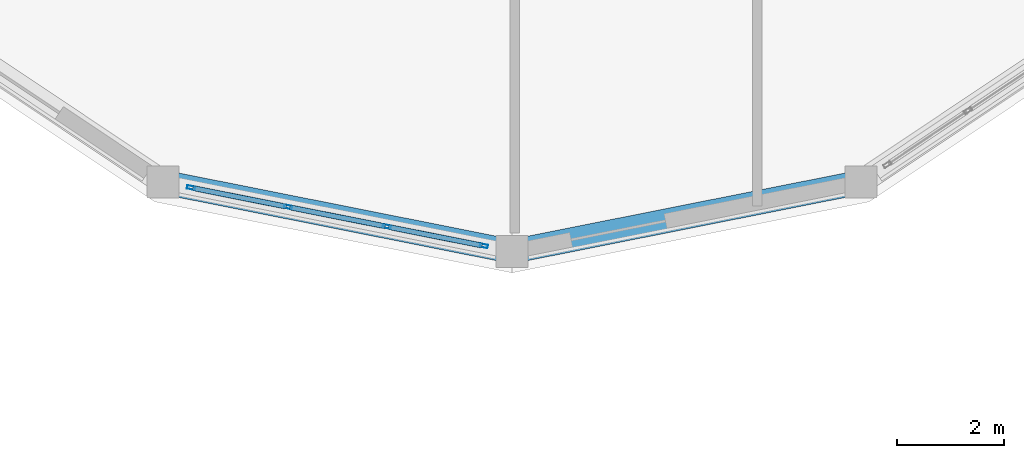
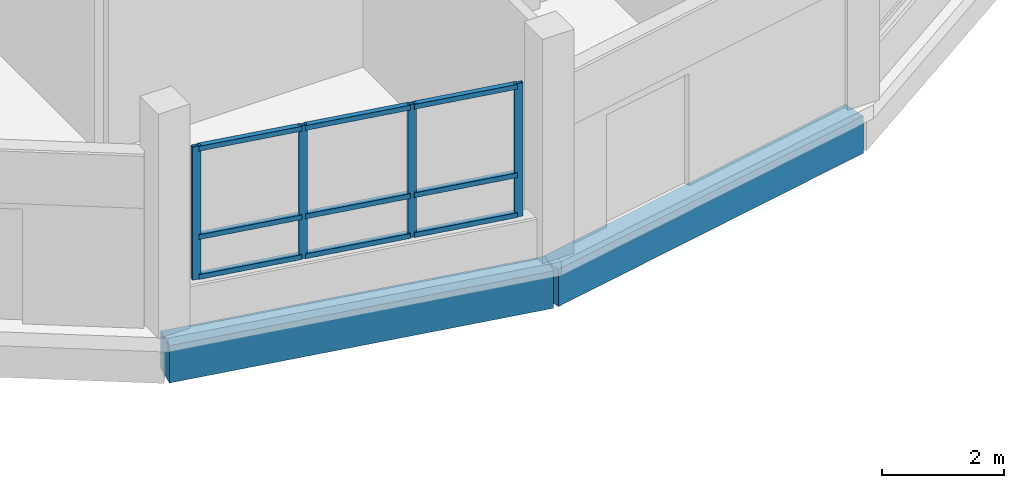
# One storey, part 65 of 129: 13 members, 2 beams, 1 element without a shape of its own.
"""IFC4 building model written with IfcOpenShell, lengths in metres."""

import ifcopenshell
import ifcopenshell.guid

model = None  # the IFC model being written
_history = None  # IfcOwnerHistory: only IFC2X3 demands one
_inside = {}  # id of a spatial element -> (the spatial element, [elements in it])
_under = {}  # id of a project, library or spatial element -> (it, [spatial elements below it])
_declared = {}  # id of a project -> (the project, [libraries it declares])
_typed = {}  # id of a type object -> (the type object, [elements of that type])
_made_of = {}  # id of a material, layer set ... -> (it, [elements and type objects made of it])


def new_model(schema):
    """Start an empty IFC model of exactly this schema.

    Asked for "IFC4X3", IfcOpenShell would pick the latest addendum, in which some entities
    have other attributes; the version numbers below select the first issue.
    IFC2X3 requires an IfcOwnerHistory on every rooted entity: one is made here for all.
    """
    global model, _history
    if schema == "IFC4X3":
        model = ifcopenshell.file(schema_version=(4, 3, 0, 0))
    else:
        model = ifcopenshell.file(schema=schema)
    _inside.clear()
    _under.clear()
    _declared.clear()
    _typed.clear()
    _made_of.clear()
    _history = None
    if model.schema == "IFC2X3":
        org = make("IfcOrganization", Name="unknown")
        user = make(
            "IfcPersonAndOrganization",
            ThePerson=make("IfcPerson", FamilyName="unknown"),
            TheOrganization=org,
        )
        app = make(
            "IfcApplication",
            ApplicationDeveloper=org,
            Version="unknown",
            ApplicationFullName="unknown",
            ApplicationIdentifier="unknown",
        )
        _history = make(
            "IfcOwnerHistory",
            OwningUser=user,
            OwningApplication=app,
            ChangeAction="ADDED",
            CreationDate=0,
        )
    return model


def make(cls, **values):
    """One entity of the class cls with the attributes given. An attribute that is None is left unset."""
    return model.create_entity(
        cls, **{name: value for name, value in values.items() if value is not None}
    )


def rooted(cls, **values):
    """An entity with a GlobalId (a new one), such as an element, a storey or a relation."""
    return make(cls, GlobalId=ifcopenshell.guid.new(), OwnerHistory=_history, **values)


def si_unit(unit_type, name, prefix=None):
    """IfcSIUnit, for example si_unit("LENGTHUNIT", "METRE", prefix="MILLI")."""
    return make("IfcSIUnit", UnitType=unit_type, Prefix=prefix, Name=name)


def assignment(units):
    """IfcUnitAssignment: the units of a project."""
    return None if units is None else make("IfcUnitAssignment", Units=units)


def point(xyz):
    """IfcCartesianPoint."""
    return None if xyz is None else make("IfcCartesianPoint", Coordinates=xyz)


def direction(xyz):
    """IfcDirection."""
    return None if xyz is None else make("IfcDirection", DirectionRatios=xyz)


def frame(location, z_axis=None, x_axis=None):
    """IfcAxis2Placement3D, a coordinate frame: its origin and axes. An axis left out is left unset."""
    return make(
        "IfcAxis2Placement3D",
        Location=point(location),
        Axis=direction(z_axis),
        RefDirection=direction(x_axis),
    )


def frame_2d(location, x_axis=None):
    """IfcAxis2Placement2D, a coordinate frame in the plane: its origin and x axis."""
    return make(
        "IfcAxis2Placement2D", Location=point(location), RefDirection=direction(x_axis)
    )


def origin():
    """The frame at (0, 0, 0) with its axes left unset."""
    return frame((0.0, 0.0, 0.0))


def origin_2d():
    """The frame at (0, 0) in the plane with its x axis left unset."""
    return frame_2d((0.0, 0.0))


def place(relative_to, where):
    """IfcLocalPlacement: puts the frame where relative to a parent placement (None: the world)."""
    return make(
        "IfcLocalPlacement", PlacementRelTo=relative_to, RelativePlacement=where
    )


def context(
    kind, dimensions, precision=None, world=None, true_north=None, identifier=None
):
    """IfcGeometricRepresentationContext, for example the 3D "Model" context."""
    return make(
        "IfcGeometricRepresentationContext",
        ContextIdentifier=identifier,
        ContextType=kind,
        CoordinateSpaceDimension=dimensions,
        Precision=precision,
        WorldCoordinateSystem=world,
        TrueNorth=true_north,
    )


def subcontext(parent, identifier, kind, view, scale=None):
    """IfcGeometricRepresentationSubContext, for example "Body" below "Model"."""
    return make(
        "IfcGeometricRepresentationSubContext",
        ContextIdentifier=identifier,
        ContextType=kind,
        ParentContext=parent,
        TargetScale=scale,
        TargetView=view,
    )


def project(units=None, contexts=None):
    """IfcProject with its units and contexts."""
    return rooted(
        "IfcProject",
        Name="project",
        RepresentationContexts=contexts,
        UnitsInContext=assignment(units),
    )


def spatial(cls, under=None, at=None, **own):
    """A site, building, storey or space (cls), placed at a placement, below another one or the project."""
    s = rooted(cls, ObjectPlacement=at, **own)
    if under is not None:
        _under.setdefault(under.id(), (under, []))[1].append(s)
    return s


def profile(cls, at=None, kind="AREA", **sizes):
    """A parametric profile (cls). Its sizes go by their IFC names, for example OverallWidth=200.0."""
    return make(cls, ProfileType=kind, Position=at, **sizes)


def rectangle(**sizes):
    """IfcRectangleProfileDef."""
    return profile("IfcRectangleProfileDef", **sizes)


def hollow_rectangle(**sizes):
    """IfcRectangleHollowProfileDef."""
    return profile("IfcRectangleHollowProfileDef", **sizes)


def extrude(swept, where, along, depth):
    """IfcExtrudedAreaSolid: the profile swept, set in the frame where, extruded along a direction by depth."""
    return make(
        "IfcExtrudedAreaSolid",
        SweptArea=swept,
        Position=where,
        ExtrudedDirection=direction(along),
        Depth=depth,
    )


def shape(context_of_items, identifier, shape_type, items):
    """IfcShapeRepresentation: the items that make up one representation, for example the "Body"."""
    return make(
        "IfcShapeRepresentation",
        ContextOfItems=context_of_items,
        RepresentationIdentifier=identifier,
        RepresentationType=shape_type,
        Items=items,
    )


def material(Name=None, Category=None):
    """IfcMaterial."""
    return make("IfcMaterial", Name=Name, Category=Category)


def layer(
    of_material, thickness, ventilated=None, Name=None, Category=None, Priority=None
):
    """IfcMaterialLayer: one layer of a wall or slab, of a material (None: an air gap)."""
    return make(
        "IfcMaterialLayer",
        Material=of_material,
        LayerThickness=thickness,
        IsVentilated=ventilated,
        Name=Name,
        Category=Category,
        Priority=Priority,
    )


def layer_set(layers, Name=None):
    """IfcMaterialLayerSet."""
    return make("IfcMaterialLayerSet", MaterialLayers=layers, LayerSetName=Name)


def material_profile(
    of_material, cross_section, Name=None, Category=None, Priority=None
):
    """IfcMaterialProfile: a cross section and its material."""
    return make(
        "IfcMaterialProfile",
        Name=Name,
        Material=of_material,
        Profile=cross_section,
        Priority=Priority,
        Category=Category,
    )


def profile_set(profiles, Name=None, composite=None):
    """IfcMaterialProfileSet."""
    return make(
        "IfcMaterialProfileSet",
        Name=Name,
        MaterialProfiles=profiles,
        CompositeProfile=composite,
    )


def made_of(thing, what):
    """Note that an element or type object is made of a material, layer set ...; save() writes the relation."""
    if what is not None:
        _made_of.setdefault(what.id(), (what, []))[1].append(thing)
    return thing


def type_object(cls, material=None, **own):
    """A type object (cls), such as IfcWallType, which elements share."""
    return made_of(rooted(cls, **own), material)


def element(
    cls,
    number,
    at=None,
    inside=None,
    cuts=None,
    type_object=None,
    material=None,
    context=None,
    identifier="Body",
    shape_type=None,
    held_by="IfcProductDefinitionShape",
    body=None,
    shapes=None,
    **own,
):
    """One element of the class cls, such as IfcWall. Its Tag is "e" and its number.

    at: its placement. inside: the storey or other place that contains it. cuts: it is an
    opening in that element (IfcRelVoidsElement). A single representation is given by context,
    identifier, shape_type and body (its items); several are given by shapes. held_by: the class
    of the entity that holds the representations. save() writes the other relations.
    """
    e = rooted(cls, Tag="e%d" % number, ObjectPlacement=at, **own)
    if body is not None:
        shapes = [shape(context, identifier, shape_type, body)]
    if shapes is not None:
        e.Representation = make(held_by, Representations=shapes)
    if inside is not None:
        _inside.setdefault(inside.id(), (inside, []))[1].append(e)
    if cuts is not None:
        rooted(
            "IfcRelVoidsElement", RelatingBuildingElement=cuts, RelatedOpeningElement=e
        )
    if type_object is not None:
        _typed.setdefault(type_object.id(), (type_object, []))[1].append(e)
    return made_of(e, material)


def aggregate(whole, parts):
    """IfcRelAggregates: a whole, such as a stair, and the parts it consists of."""
    return rooted("IfcRelAggregates", RelatingObject=whole, RelatedObjects=parts)


def save(model, path):
    """Write the relations noted so far, then the file.

    IfcRelAggregates (storeys below a building ...), IfcRelContainedInSpatialStructure (elements
    in a storey), IfcRelDefinesByType, IfcRelAssociatesMaterial and IfcRelDeclares: one each for
    every whole, place, type object, material and project.
    """
    for whole, parts in _under.values():
        aggregate(whole, parts)
    for where, things in _inside.values():
        rooted(
            "IfcRelContainedInSpatialStructure",
            RelatedElements=things,
            RelatingStructure=where,
        )
    for kind, things in _typed.values():
        rooted("IfcRelDefinesByType", RelatedObjects=things, RelatingType=kind)
    for what, things in _made_of.values():
        rooted("IfcRelAssociatesMaterial", RelatedObjects=things, RelatingMaterial=what)
    for by, libraries in _declared.values():
        rooted("IfcRelDeclares", RelatingContext=by, RelatedDefinitions=libraries)
    model.write(path)


model = new_model("IFC4")

# Units and contexts
model_context = context("Model", 3, precision=1e-05, world=origin(), true_north=direction((0.0, 1.0)))
body_context = subcontext(model_context, "Body", "Model", "MODEL_VIEW")
ifc_project = project(units=[si_unit("LENGTHUNIT", "METRE"), si_unit("AREAUNIT", "SQUARE_METRE"), si_unit("VOLUMEUNIT", "CUBIC_METRE"), si_unit("PLANEANGLEUNIT", "RADIAN"), si_unit("MASSUNIT", "GRAM", prefix="KILO")], contexts=[model_context])

# Site, building, storey
site_placement = place(None, origin())
site = spatial("IfcSite", under=ifc_project, at=site_placement, CompositionType="ELEMENT")
building_placement = place(site_placement, origin())
building = spatial("IfcBuilding", under=site, at=building_placement, Name="Vespera Passage Community Centre", CompositionType="ELEMENT")
storey_placement = place(building_placement, origin())
storey = spatial("IfcBuildingStorey", under=building, at=storey_placement, Name="L00", CompositionType="ELEMENT", Elevation=0.0)

# Beams
ifc_material_1 = material(Name="Concrete f'c 35 MPa", Category="concrete")
ifc_material_profile_1 = material_profile(ifc_material_1, rectangle(XDim=0.449951171875, YDim=0.75, at=origin_2d()), Name="RC450X750")
ifc_profile_set_1 = profile_set([ifc_material_profile_1], Name="Concrete f'c 35 MPa")
beam_type = type_object("IfcBeamType", Name="BM-SP-450X750E", PredefinedType="SPANDREL", material=ifc_profile_set_1)
for number, where, z_axis, x_axis, name in (
    (1, (134.4560546875, 9.20166015625, -0.655029296875), (0.980782809509, -0.195102743632, 0.0), (0.195102743632, 0.980782809509, 0.0), "V3 L00 Spandrel 12"),
    (2, (141.0, 7.89990234375, -0.655029296875), (0.980782809509, 0.195102743632, 0.0), (-0.195102743632, 0.980782809509, 0.0), "V3 L00 Spandrel 13"),
):
    element("IfcBeam", number, at=place(storey_placement, frame(where, z_axis=z_axis, x_axis=x_axis)), inside=storey, type_object=beam_type, Name=name, PredefinedType="SPANDREL", context=body_context, shape_type="SweptSolid", body=[
        extrude(rectangle(XDim=0.449951171875, YDim=0.75, at=origin_2d()), origin(), (0.0, 0.0, 1.0), 6.672119140625),
    ])

# Curtain wall, members
ifc_material_2 = material(Name="Anodized aluminium 6063-T6", Category="aluminium")
ifc_layer = layer(ifc_material_2, 0.159912109375)
ifc_layer_set = layer_set([ifc_layer], Name="Anodized aluminium 6063-T6")
curtain_wall_type = type_object("IfcCurtainWallType", Name="CW-101E", PredefinedType="NOTDEFINED", material=ifc_layer_set)
curtain_wall_placement = place(storey_placement, origin())
curtain_wall = element("IfcCurtainWall", 3, at=curtain_wall_placement, inside=storey, type_object=curtain_wall_type, Name="Dining Drum Ribbon Curtain Wall L00.12", PredefinedType="NOTDEFINED")
ifc_material_3 = material(Name="Anodized aluminium 6063-T6", Category="aluminium")
ifc_material_profile_2 = material_profile(ifc_material_3, hollow_rectangle(XDim=0.06494140625, YDim=0.14990234375, WallThickness=0.00390625, InnerFilletRadius=0.001953125, OuterFilletRadius=0.00390625, at=origin_2d()), Name="ALU150X65X4")
ifc_profile_set_2 = profile_set([ifc_material_profile_2], Name="Anodized aluminium 6063-T6")
member_type_1 = type_object("IfcMemberType", Name="MB-CWM-150E", PredefinedType="MULLION", material=ifc_profile_set_2)
member_1_placement = place(storey_placement, frame((140.471923828125, 8.005126953125, 0.800048828125), z_axis=(0.0, 0.0, 1.0), x_axis=(-0.195096778691, -0.980783996069, 0.0)))
member_1 = element("IfcMember", 4, at=member_1_placement, type_object=member_type_1, Name="CW-101E mullion 1", PredefinedType="MULLION", context=body_context, shape_type="SweptSolid", body=[
    extrude(hollow_rectangle(XDim=0.06494140625, YDim=0.14990234375, WallThickness=0.00390625, InnerFilletRadius=0.001953125, OuterFilletRadius=0.00390625, at=origin_2d()), origin(), (0.0, 0.0, 1.0), 2.675048828125),
])
member_2_placement = place(storey_placement, frame((138.6533203125, 8.36669921875, 0.800048828125), z_axis=(0.0, 0.0, 1.0), x_axis=(-0.195096778691, -0.980783996069, 0.0)))
member_2 = element("IfcMember", 5, at=member_2_placement, type_object=member_type_1, Name="CW-101E mullion 2", PredefinedType="MULLION", context=body_context, shape_type="SweptSolid", body=[
    extrude(hollow_rectangle(XDim=0.06494140625, YDim=0.14990234375, WallThickness=0.00390625, InnerFilletRadius=0.001953125, OuterFilletRadius=0.00390625, at=origin_2d()), origin(), (0.0, 0.0, 1.0), 2.675048828125),
])
member_3_placement = place(storey_placement, frame((136.802734375, 8.73486328125, 0.800048828125), z_axis=(0.0, 0.0, 1.0), x_axis=(-0.195096778691, -0.980783996069, 0.0)))
member_3 = element("IfcMember", 6, at=member_3_placement, type_object=member_type_1, Name="CW-101E mullion 3", PredefinedType="MULLION", context=body_context, shape_type="SweptSolid", body=[
    extrude(hollow_rectangle(XDim=0.06494140625, YDim=0.14990234375, WallThickness=0.00390625, InnerFilletRadius=0.001953125, OuterFilletRadius=0.00390625, at=origin_2d()), origin(), (0.0, 0.0, 1.0), 2.675048828125),
])
member_4_placement = place(storey_placement, frame((134.984130859375, 9.0966796875, 0.800048828125), z_axis=(0.0, 0.0, 1.0), x_axis=(-0.195096778691, -0.980783996069, 0.0)))
member_4 = element("IfcMember", 7, at=member_4_placement, type_object=member_type_1, Name="CW-101E mullion 4", PredefinedType="MULLION", context=body_context, shape_type="SweptSolid", body=[
    extrude(hollow_rectangle(XDim=0.06494140625, YDim=0.14990234375, WallThickness=0.00390625, InnerFilletRadius=0.001953125, OuterFilletRadius=0.00390625, at=origin_2d()), origin(), (0.0, 0.0, 1.0), 2.675048828125),
])
ifc_material_4 = material(Name="Anodized aluminium 6063-T6", Category="aluminium")
ifc_material_profile_3 = material_profile(ifc_material_4, hollow_rectangle(XDim=0.10009765625, YDim=0.10009765625, WallThickness=0.00390625, InnerFilletRadius=0.001953125, OuterFilletRadius=0.00390625, at=origin_2d()), Name="ALU100X100X4")
ifc_profile_set_3 = profile_set([ifc_material_profile_3], Name="Anodized aluminium 6063-T6")
member_type_2 = type_object("IfcMemberType", Name="MB-CWT-100E", PredefinedType="USERDEFINED", material=ifc_profile_set_3)
member_5_placement = place(storey_placement, frame((140.43994140625, 8.011474609375, 0.85009765625), z_axis=(-0.980805694528, 0.194987665203, 0.0), x_axis=(-0.194987665203, -0.980805694528, 0.0)))
member_5 = element("IfcMember", 8, at=member_5_placement, type_object=member_type_2, Name="CW-101E transom 1.1", ObjectType="TRANSOM", PredefinedType="USERDEFINED", context=body_context, shape_type="SweptSolid", body=[
    extrude(hollow_rectangle(XDim=0.10009765625, YDim=0.10009765625, WallThickness=0.00390625, InnerFilletRadius=0.001953125, OuterFilletRadius=0.00390625, at=origin_2d()), origin(), (0.0, 0.0, 1.0), 1.789306640625),
])
member_6_placement = place(storey_placement, frame((140.43994140625, 8.011474609375, 1.64990234375), z_axis=(-0.980805694528, 0.194987665203, 0.0), x_axis=(-0.194987665203, -0.980805694528, 0.0)))
member_6 = element("IfcMember", 9, at=member_6_placement, type_object=member_type_2, Name="CW-101E transom 1.2", ObjectType="TRANSOM", PredefinedType="USERDEFINED", context=body_context, shape_type="SweptSolid", body=[
    extrude(hollow_rectangle(XDim=0.10009765625, YDim=0.10009765625, WallThickness=0.00390625, InnerFilletRadius=0.001953125, OuterFilletRadius=0.00390625, at=origin_2d()), origin(), (0.0, 0.0, 1.0), 1.789306640625),
])
member_7_placement = place(storey_placement, frame((140.43994140625, 8.011474609375, 3.425048828125), z_axis=(-0.980805694528, 0.194987665203, 0.0), x_axis=(-0.194987665203, -0.980805694528, 0.0)))
member_7 = element("IfcMember", 10, at=member_7_placement, type_object=member_type_2, Name="CW-101E transom 1.3", ObjectType="TRANSOM", PredefinedType="USERDEFINED", context=body_context, shape_type="SweptSolid", body=[
    extrude(hollow_rectangle(XDim=0.10009765625, YDim=0.10009765625, WallThickness=0.00390625, InnerFilletRadius=0.001953125, OuterFilletRadius=0.00390625, at=origin_2d()), origin(), (0.0, 0.0, 1.0), 1.789306640625),
])
member_8_placement = place(storey_placement, frame((138.621337890625, 8.373046875, 0.85009765625), z_axis=(-0.980776065507, 0.195136642714, 0.0), x_axis=(-0.195136642714, -0.980776065507, 0.0)))
member_8 = element("IfcMember", 11, at=member_8_placement, type_object=member_type_2, Name="CW-101E transom 2.1", ObjectType="TRANSOM", PredefinedType="USERDEFINED", context=body_context, shape_type="SweptSolid", body=[
    extrude(hollow_rectangle(XDim=0.10009765625, YDim=0.10009765625, WallThickness=0.00390625, InnerFilletRadius=0.001953125, OuterFilletRadius=0.00390625, at=origin_2d()), origin(), (0.0, 0.0, 1.0), 1.821533203125),
])
member_9_placement = place(storey_placement, frame((138.621337890625, 8.373046875, 1.64990234375), z_axis=(-0.980776065507, 0.195136642714, 0.0), x_axis=(-0.195136642714, -0.980776065507, 0.0)))
member_9 = element("IfcMember", 12, at=member_9_placement, type_object=member_type_2, Name="CW-101E transom 2.2", ObjectType="TRANSOM", PredefinedType="USERDEFINED", context=body_context, shape_type="SweptSolid", body=[
    extrude(hollow_rectangle(XDim=0.10009765625, YDim=0.10009765625, WallThickness=0.00390625, InnerFilletRadius=0.001953125, OuterFilletRadius=0.00390625, at=origin_2d()), origin(), (0.0, 0.0, 1.0), 1.821533203125),
])
member_10_placement = place(storey_placement, frame((138.621337890625, 8.373046875, 3.425048828125), z_axis=(-0.980776065507, 0.195136642714, 0.0), x_axis=(-0.195136642714, -0.980776065507, 0.0)))
member_10 = element("IfcMember", 13, at=member_10_placement, type_object=member_type_2, Name="CW-101E transom 2.3", ObjectType="TRANSOM", PredefinedType="USERDEFINED", context=body_context, shape_type="SweptSolid", body=[
    extrude(hollow_rectangle(XDim=0.10009765625, YDim=0.10009765625, WallThickness=0.00390625, InnerFilletRadius=0.001953125, OuterFilletRadius=0.00390625, at=origin_2d()), origin(), (0.0, 0.0, 1.0), 1.821533203125),
])
member_11_placement = place(storey_placement, frame((136.77099609375, 8.7412109375, 0.85009765625), z_axis=(-0.980779590975, 0.195118922523, 0.0), x_axis=(-0.195118922523, -0.980779590975, 0.0)))
member_11 = element("IfcMember", 14, at=member_11_placement, type_object=member_type_2, Name="CW-101E transom 3.1", ObjectType="TRANSOM", PredefinedType="USERDEFINED", context=body_context, shape_type="SweptSolid", body=[
    extrude(hollow_rectangle(XDim=0.10009765625, YDim=0.10009765625, WallThickness=0.00390625, InnerFilletRadius=0.001953125, OuterFilletRadius=0.00390625, at=origin_2d()), origin(), (0.0, 0.0, 1.0), 1.789306640625),
])
member_12_placement = place(storey_placement, frame((136.77099609375, 8.7412109375, 1.64990234375), z_axis=(-0.980779590975, 0.195118922523, 0.0), x_axis=(-0.195118922523, -0.980779590975, 0.0)))
member_12 = element("IfcMember", 15, at=member_12_placement, type_object=member_type_2, Name="CW-101E transom 3.2", ObjectType="TRANSOM", PredefinedType="USERDEFINED", context=body_context, shape_type="SweptSolid", body=[
    extrude(hollow_rectangle(XDim=0.10009765625, YDim=0.10009765625, WallThickness=0.00390625, InnerFilletRadius=0.001953125, OuterFilletRadius=0.00390625, at=origin_2d()), origin(), (0.0, 0.0, 1.0), 1.789306640625),
])
member_13_placement = place(storey_placement, frame((136.77099609375, 8.7412109375, 3.425048828125), z_axis=(-0.980779590975, 0.195118922523, 0.0), x_axis=(-0.195118922523, -0.980779590975, 0.0)))
member_13 = element("IfcMember", 16, at=member_13_placement, type_object=member_type_2, Name="CW-101E transom 3.3", ObjectType="TRANSOM", PredefinedType="USERDEFINED", context=body_context, shape_type="SweptSolid", body=[
    extrude(hollow_rectangle(XDim=0.10009765625, YDim=0.10009765625, WallThickness=0.00390625, InnerFilletRadius=0.001953125, OuterFilletRadius=0.00390625, at=origin_2d()), origin(), (0.0, 0.0, 1.0), 1.789306640625),
])
aggregate(curtain_wall, [member_1, member_2, member_3, member_4, member_5, member_6, member_7, member_8, member_9, member_10, member_11, member_12, member_13])

save(model, "model.ifc")
